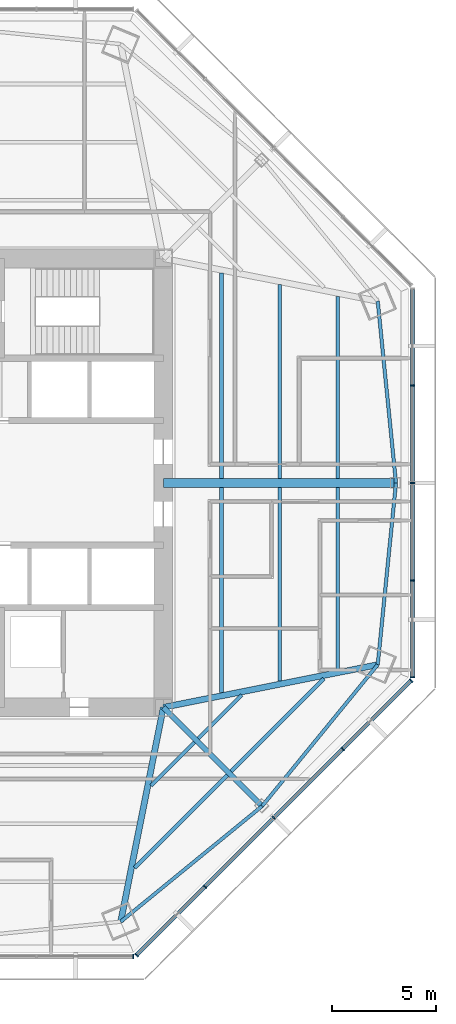
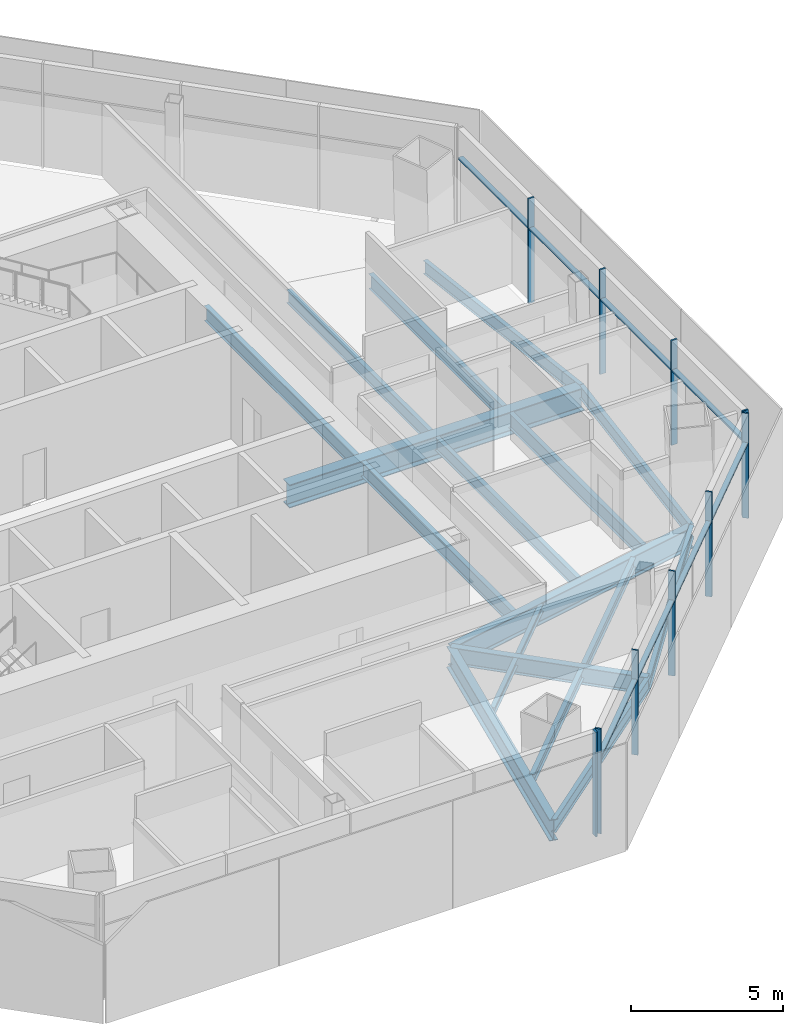
# One storey, part 4 of 15: 18 beams, 18 members, 3 elements without a shape of their own.
"""IFC4 building model written with IfcOpenShell, lengths in metres."""

from ifc_helpers import new_model, si_unit, direction, frame, origin, origin_2d, place, context, subcontext, project, spatial, rectangle, i_section, extrude, source, transform, mapped, material, material_profile, profile_set, type_object, type_shapes, element, aggregate, save


model = new_model("IFC4")

# Units and contexts
model_context = context("Model", 3, precision=1e-05, world=origin(), true_north=direction((0.0, 1.0)))
body_context = subcontext(model_context, "Body", "Model", "MODEL_VIEW")
ifc_project = project(units=[si_unit("LENGTHUNIT", "METRE"), si_unit("AREAUNIT", "SQUARE_METRE"), si_unit("VOLUMEUNIT", "CUBIC_METRE"), si_unit("PLANEANGLEUNIT", "RADIAN"), si_unit("MASSUNIT", "GRAM", prefix="KILO")], contexts=[model_context])

# Site, building, storey
site_placement = place(None, origin())
site = spatial("IfcSite", under=ifc_project, at=site_placement, CompositionType="ELEMENT")
building_placement = place(site_placement, origin())
building = spatial("IfcBuilding", under=site, at=building_placement, Name="Mashrafa Tower", CompositionType="ELEMENT")
storey_placement = place(building_placement, frame((0.0, 0.0, 184.800048828125)))
storey = spatial("IfcBuildingStorey", under=building, at=storey_placement, Name="L42", CompositionType="ELEMENT", Elevation=184.800048828125)

# Beams
ifc_material_1 = material(Name="Steel ASTM A992", Category="steel")
ifc_material_profile_1 = material_profile(ifc_material_1, i_section(OverallWidth=0.164794921875, OverallDepth=0.309814453125, WebThickness=0.005859375, FlangeThickness=0.009765625, FilletRadius=0.007568359375, at=origin_2d()), Name="W12X26")
ifc_profile_set_1 = profile_set([ifc_material_profile_1], Name="Steel ASTM A992")
beam_type_1 = type_object("IfcBeamType", Name="Beam W12X26", PredefinedType="BEAM", material=ifc_profile_set_1)
for number, where, z_axis, x_axis, name in (
    (1, (12.293701171875, -12.473388671875, -0.320068359375), (-0.707147974672, -0.707065585301, 0.0), (0.707065585301, -0.707147974672, 0.0), "Floor beam L42 029"),
    (2, (14.568603515625, -10.1982421875, -0.320068359375), (-0.707065585301, -0.707147974672, 0.0), (0.707147974672, -0.707065585301, 0.0), "Floor beam L42 035"),
):
    element("IfcBeam", number, at=place(storey_placement, frame(where, z_axis=z_axis, x_axis=x_axis)), inside=storey, type_object=beam_type_1, Name=name, PredefinedType="BEAM", context=body_context, shape_type="SweptSolid", body=[
        extrude(i_section(OverallWidth=0.164794921875, OverallDepth=0.309814453125, WebThickness=0.005859375, FlangeThickness=0.009765625, FilletRadius=0.007568359375, at=origin_2d()), origin(), (0.0, 0.0, 1.0), 2.963134765625),
    ])
ifc_material_2 = material(Name="Steel ASTM A992", Category="steel")
ifc_material_profile_2 = material_profile(ifc_material_2, i_section(OverallWidth=0.177734375, OverallDepth=0.406494140625, WebThickness=0.0078125, FlangeThickness=0.012939453125, FilletRadius=0.01025390625, at=origin_2d()), Name="W16X40")
ifc_profile_set_2 = profile_set([ifc_material_profile_2], Name="Steel ASTM A992")
beam_type_2 = type_object("IfcBeamType", Name="Beam W16X40", PredefinedType="BEAM", material=ifc_profile_set_2)
for number, where, z_axis, x_axis, name in (
    (3, (13.877197265625, -14.056640625, -0.3681640625), (-0.707106781187, -0.707106781187, 0.0), (0.707106781187, -0.707106781187, 0.0), "Floor beam L42 033"),
    (4, (18.5234375, -9.410400390625, -0.3681640625), (-0.707106781187, -0.707106781187, 0.0), (0.707106781187, -0.707106781187, 0.0), "Floor beam L42 038"),
):
    element("IfcBeam", number, at=place(storey_placement, frame(where, z_axis=z_axis, x_axis=x_axis)), inside=storey, type_object=beam_type_2, Name=name, PredefinedType="BEAM", context=body_context, shape_type="SweptSolid", body=[
        extrude(i_section(OverallWidth=0.177734375, OverallDepth=0.406494140625, WebThickness=0.0078125, FlangeThickness=0.012939453125, FilletRadius=0.01025390625, at=origin_2d()), origin(), (0.0, 0.0, 1.0), 6.31689453125),
    ])
ifc_material_3 = material(Name="Steel ASTM A992", Category="steel")
ifc_material_profile_3 = material_profile(ifc_material_3, i_section(OverallWidth=0.1650390625, OverallDepth=0.52587890625, WebThickness=0.0087890625, FlangeThickness=0.011474609375, FilletRadius=0.0126953125, at=origin_2d()), Name="W21X44")
ifc_profile_set_3 = profile_set([ifc_material_profile_3], Name="Steel ASTM A992")
beam_type_3 = type_object("IfcBeamType", Name="Beam W21X44", PredefinedType="BEAM", material=ifc_profile_set_3)
for number, where, z_axis, x_axis, name in (
    (5, (16.39599609375, -0.20947265625, -0.427978515625), (0.0, -1.0, 0.0), (1.0, 0.0, 0.0), "Floor beam L42 036"),
    (6, (16.39599609375, 9.536376953125, -0.427978515625), (0.0, -1.0, 0.0), (1.0, 0.0, 0.0), "Floor beam L42 037"),
):
    element("IfcBeam", number, at=place(storey_placement, frame(where, z_axis=z_axis, x_axis=x_axis)), inside=storey, type_object=beam_type_3, Name=name, PredefinedType="BEAM", context=body_context, shape_type="SweptSolid", body=[
        extrude(i_section(OverallWidth=0.1650390625, OverallDepth=0.52587890625, WebThickness=0.0087890625, FlangeThickness=0.011474609375, FilletRadius=0.0126953125, at=origin_2d()), origin(), (0.0, 0.0, 1.0), 9.326904296875),
    ])
for number, where, z_axis, x_axis, name in (
    (7, (8.74560546875, -21.11328125, -0.427978515625), (0.77420723405, 0.632932191269, 0.0), (-0.632932191269, 0.77420723405, 0.0), "Spandrel beam L42 066"),
    (8, (15.55029296875, -15.55029296875, -0.427978515625), (0.632932191269, 0.77420723405, 0.0), (-0.77420723405, 0.632932191269, 0.0), "Spandrel beam L42 068"),
):
    element("IfcBeam", number, at=place(storey_placement, frame(where, z_axis=z_axis, x_axis=x_axis)), inside=storey, type_object=beam_type_3, Name=name, PredefinedType="BEAM", context=body_context, shape_type="SweptSolid", body=[
        extrude(i_section(OverallWidth=0.1650390625, OverallDepth=0.52587890625, WebThickness=0.0087890625, FlangeThickness=0.011474609375, FilletRadius=0.0126953125, at=origin_2d()), origin(), (0.0, 0.0, 1.0), 8.789306640625),
    ])
for number, where, z_axis, x_axis, name in (
    (9, (21.11328125, -8.74560546875, -0.427978515625), (0.099938225951, 0.994993643695, 0.0), (-0.994993643695, 0.099938225951, 0.0), "Spandrel beam L42 070"),
    (10, (21.99169921875, 0.0, -0.427978515625), (-0.099938225951, 0.994993643695, 0.0), (-0.994993643695, -0.099938225951, 0.0), "Spandrel beam L42 072"),
):
    element("IfcBeam", number, at=place(storey_placement, frame(where, z_axis=z_axis, x_axis=x_axis)), inside=storey, type_object=beam_type_3, Name=name, PredefinedType="BEAM", context=body_context, shape_type="SweptSolid", body=[
        extrude(i_section(OverallWidth=0.1650390625, OverallDepth=0.52587890625, WebThickness=0.0087890625, FlangeThickness=0.011474609375, FilletRadius=0.0126953125, at=origin_2d()), origin(), (0.0, 0.0, 1.0), 8.78955078125),
    ])
ifc_material_4 = material(Name="Steel ASTM A992", Category="steel")
ifc_material_profile_4 = material_profile(ifc_material_4, i_section(OverallWidth=0.177978515625, OverallDepth=0.599365234375, WebThickness=0.010009765625, FlangeThickness=0.012939453125, FilletRadius=0.012939453125, at=origin_2d()), Name="W24X55")
ifc_profile_set_4 = profile_set([ifc_material_profile_4], Name="Steel ASTM A992")
beam_type_4 = type_object("IfcBeamType", Name="Beam W24X55", PredefinedType="BEAM", material=ifc_profile_set_4)
for number, where, z_axis, x_axis, name in (
    (11, (13.597900390625, -0.20947265625, -0.46484375), (0.0, -1.0, 0.0), (1.0, 0.0, 0.0), "Floor beam L42 031"),
    (12, (13.597900390625, 10.09375, -0.46484375), (0.0, -1.0, 0.0), (1.0, 0.0, 0.0), "Floor beam L42 032"),
):
    element("IfcBeam", number, at=place(storey_placement, frame(where, z_axis=z_axis, x_axis=x_axis)), inside=storey, type_object=beam_type_4, Name=name, PredefinedType="BEAM", context=body_context, shape_type="SweptSolid", body=[
        extrude(i_section(OverallWidth=0.177978515625, OverallDepth=0.599365234375, WebThickness=0.010009765625, FlangeThickness=0.012939453125, FilletRadius=0.012939453125, at=origin_2d()), origin(), (0.0, 0.0, 1.0), 9.88427734375),
    ])
for number, where, z_axis, x_axis, name in (
    (13, (19.19384765625, -0.20947265625, -0.46484375), (0.0, -1.0, 0.0), (1.0, 0.0, 0.0), "Floor beam L42 039"),
    (14, (19.19384765625, 8.97900390625, -0.46484375), (0.0, -1.0, 0.0), (1.0, 0.0, 0.0), "Floor beam L42 040"),
):
    element("IfcBeam", number, at=place(storey_placement, frame(where, z_axis=z_axis, x_axis=x_axis)), inside=storey, type_object=beam_type_4, Name=name, PredefinedType="BEAM", context=body_context, shape_type="SweptSolid", body=[
        extrude(i_section(OverallWidth=0.177978515625, OverallDepth=0.599365234375, WebThickness=0.010009765625, FlangeThickness=0.012939453125, FilletRadius=0.012939453125, at=origin_2d()), origin(), (0.0, 0.0, 1.0), 8.76953125),
    ])
ifc_material_5 = material(Name="Steel ASTM A992", Category="steel")
ifc_material_profile_5 = material_profile(ifc_material_5, i_section(OverallWidth=0.25390625, OverallDepth=0.683349609375, WebThickness=0.012451171875, FlangeThickness=0.01904296875, FilletRadius=0.01513671875, at=origin_2d()), Name="W27X94")
ifc_profile_set_5 = profile_set([ifc_material_profile_5], Name="Steel ASTM A992")
beam_type_5 = type_object("IfcBeamType", Name="Beam W27X94", PredefinedType="BEAM", material=ifc_profile_set_5)
beam_1_placement = place(storey_placement, frame((10.800048828125, -10.800048828125, -0.506591796875), z_axis=(0.707106781187, -0.707106781187, 0.0), x_axis=(0.707106781187, 0.707106781187, 0.0)))
element("IfcBeam", 15, at=beam_1_placement, inside=storey, type_object=beam_type_5, Name="Radial girder L42 051", PredefinedType="BEAM", context=body_context, shape_type="SweptSolid", body=[
    extrude(i_section(OverallWidth=0.25390625, OverallDepth=0.683349609375, WebThickness=0.012451171875, FlangeThickness=0.01904296875, FilletRadius=0.01513671875, at=origin_2d()), origin(), (0.0, 0.0, 1.0), 6.7177734375),
])
ifc_material_6 = material(Name="Steel ASTM A992", Category="steel")
ifc_material_profile_6 = material_profile(ifc_material_6, i_section(OverallWidth=0.2919921875, OverallDepth=0.8583984375, WebThickness=0.01708984375, FlangeThickness=0.031005859375, FilletRadius=0.017822265625, at=origin_2d()), Name="W33X169")
ifc_profile_set_6 = profile_set([ifc_material_profile_6], Name="Steel ASTM A992")
beam_type_6 = type_object("IfcBeamType", Name="Beam W33X169", PredefinedType="BEAM", material=ifc_profile_set_6)
for number, where, z_axis, x_axis, name in (
    (16, (10.800048828125, -10.800048828125, -0.59423828125), (-0.195366009443, -0.980730402483, 0.0), (0.980730402483, -0.195366009443, 0.0), "Radial girder L42 050"),
    (17, (10.800048828125, -10.800048828125, -0.59423828125), (0.980730402483, 0.195366009443, 0.0), (-0.195366009443, 0.980730402483, 0.0), "Radial girder L42 052"),
):
    element("IfcBeam", number, at=place(storey_placement, frame(where, z_axis=z_axis, x_axis=x_axis)), inside=storey, type_object=beam_type_6, Name=name, PredefinedType="BEAM", context=body_context, shape_type="SweptSolid", body=[
        extrude(i_section(OverallWidth=0.2919921875, OverallDepth=0.8583984375, WebThickness=0.01708984375, FlangeThickness=0.031005859375, FilletRadius=0.017822265625, at=origin_2d()), origin(), (0.0, 0.0, 1.0), 10.515869140625),
    ])
ifc_material_7 = material(Name="Steel ASTM A992", Category="steel")
ifc_material_profile_7 = material_profile(ifc_material_7, i_section(OverallWidth=0.419189453125, OverallDepth=0.927001953125, WebThickness=0.019287109375, FlangeThickness=0.031982421875, FilletRadius=0.020263671875, at=origin_2d()), Name="W36X231")
ifc_profile_set_7 = profile_set([ifc_material_profile_7], Name="Steel ASTM A992")
beam_type_7 = type_object("IfcBeamType", Name="Beam W36X231", PredefinedType="BEAM", material=ifc_profile_set_7)
beam_2_placement = place(storey_placement, frame((10.800048828125, 0.0, -0.628662109375), z_axis=(1.0, 0.0, 0.0), x_axis=(0.0, 1.0, 0.0)))
element("IfcBeam", 18, at=beam_2_placement, inside=storey, type_object=beam_type_7, Name="Radial girder L42 053", PredefinedType="BEAM", context=body_context, shape_type="SweptSolid", body=[
    extrude(i_section(OverallWidth=0.419189453125, OverallDepth=0.927001953125, WebThickness=0.019287109375, FlangeThickness=0.031982421875, FilletRadius=0.020263671875, at=origin_2d()), origin(), (0.0, 0.0, 1.0), 11.191650390625),
])

# Curtain wall, members
ifc_material_8 = material(Name="Unitised aluminium curtain wall", Category="aluminium")
curtain_wall_type = type_object("IfcCurtainWallType", Name="Office curtain wall, zone 2 CW-B 225 deep", PredefinedType="NOTDEFINED", material=ifc_material_8)
curtain_wall_1_placement = place(storey_placement, origin())
curtain_wall_1 = element("IfcCurtainWall", 19, at=curtain_wall_1_placement, inside=storey, type_object=curtain_wall_type, Name="Office curtain wall, zone 2 L42 east", PredefinedType="NOTDEFINED")
ifc_material_9 = material(Name="Extruded aluminium mullion", Category="aluminium")
ifc_material_profile_8 = material_profile(ifc_material_9, rectangle(XDim=0.22509765625, YDim=0.06494140625, at=origin_2d()), Name="Mullion 65x225")
ifc_profile_set_8 = profile_set([ifc_material_profile_8], Name="Extruded aluminium mullion")
member_type_1 = type_object("IfcMemberType", Name="Mullion CW-B 65 x 225", PredefinedType="MULLION", material=ifc_profile_set_8)
shared_shape_1 = source(origin(), body_context, "Body", "SweptSolid", [
    extrude(rectangle(XDim=0.22509765625, YDim=0.06494140625, at=origin_2d()), origin(), (0.0, 0.0, 1.0), 4.199951171875),
])
type_shapes(member_type_1, [shared_shape_1])
member_1_placement = place(storey_placement, frame((22.786865234375, -9.349609375, 0.0), z_axis=(0.0, 0.0, 1.0), x_axis=(-1.0, 0.0, 0.0)))
member_1 = element("IfcMember", 20, at=member_1_placement, type_object=member_type_1, Name="CW-B mullion 1", PredefinedType="MULLION", context=body_context, shape_type="MappedRepresentation", body=[
    mapped(shared_shape_1, transform((0.0, 0.0, 0.0))),
])
member_2_placement = place(storey_placement, frame((22.786865234375, -4.69091796875, 0.0), z_axis=(0.0, 0.0, 1.0), x_axis=(-1.0, 0.0, 0.0)))
member_2 = element("IfcMember", 21, at=member_2_placement, type_object=member_type_1, Name="CW-B mullion 2", PredefinedType="MULLION", context=body_context, shape_type="MappedRepresentation", body=[
    mapped(shared_shape_1, transform((0.0, 0.0, 0.0))),
])
member_3_placement = place(storey_placement, frame((22.786865234375, 0.0, 0.0), z_axis=(0.0, 0.0, 1.0), x_axis=(-1.0, 0.0, 0.0)))
member_3 = element("IfcMember", 22, at=member_3_placement, type_object=member_type_1, Name="CW-B mullion 3", PredefinedType="MULLION", context=body_context, shape_type="MappedRepresentation", body=[
    mapped(shared_shape_1, transform((0.0, 0.0, 0.0))),
])
member_4_placement = place(storey_placement, frame((22.786865234375, 4.69091796875, 0.0), z_axis=(0.0, 0.0, 1.0), x_axis=(-1.0, 0.0, 0.0)))
member_4 = element("IfcMember", 23, at=member_4_placement, type_object=member_type_1, Name="CW-B mullion 4", PredefinedType="MULLION", context=body_context, shape_type="MappedRepresentation", body=[
    mapped(shared_shape_1, transform((0.0, 0.0, 0.0))),
])

# Curtain wall, member
curtain_wall_2_placement = place(storey_placement, origin())
curtain_wall_2 = element("IfcCurtainWall", 24, at=curtain_wall_2_placement, inside=storey, type_object=curtain_wall_type, Name="Office curtain wall, zone 2 L42 south", PredefinedType="NOTDEFINED")
member_5_placement = place(storey_placement, frame((9.349609375, -22.786865234375, 0.0), z_axis=(0.0, 0.0, 1.0), x_axis=(0.0, 1.0, 0.0)))
member_5 = element("IfcMember", 25, at=member_5_placement, type_object=member_type_1, Name="CW-B mullion 5", PredefinedType="MULLION", context=body_context, shape_type="MappedRepresentation", body=[
    mapped(shared_shape_1, transform((0.0, 0.0, 0.0))),
])
aggregate(curtain_wall_2, [member_5])

# Curtain wall, members
curtain_wall_3_placement = place(storey_placement, origin())
curtain_wall_3 = element("IfcCurtainWall", 26, at=curtain_wall_3_placement, inside=storey, type_object=curtain_wall_type, Name="Office curtain wall, zone 2 L42 south-east", PredefinedType="NOTDEFINED")
member_6_placement = place(storey_placement, frame((9.501708984375, -22.723876953125, 0.0), z_axis=(0.0, 0.0, 1.0), x_axis=(-0.707106781187, 0.707106781187, 0.0)))
member_6 = element("IfcMember", 27, at=member_6_placement, type_object=member_type_1, Name="CW-B mullion 1", PredefinedType="MULLION", context=body_context, shape_type="MappedRepresentation", body=[
    mapped(shared_shape_1, transform((0.0, 0.0, 0.0))),
])
member_7_placement = place(storey_placement, frame((12.795654296875, -19.429931640625, 0.0), z_axis=(0.0, 0.0, 1.0), x_axis=(-0.707106781187, 0.707106781187, 0.0)))
member_7 = element("IfcMember", 28, at=member_7_placement, type_object=member_type_1, Name="CW-B mullion 2", PredefinedType="MULLION", context=body_context, shape_type="MappedRepresentation", body=[
    mapped(shared_shape_1, transform((0.0, 0.0, 0.0))),
])
member_8_placement = place(storey_placement, frame((16.11279296875, -16.11279296875, 0.0), z_axis=(0.0, 0.0, 1.0), x_axis=(-0.707106781187, 0.707106781187, 0.0)))
member_8 = element("IfcMember", 29, at=member_8_placement, type_object=member_type_1, Name="CW-B mullion 3", PredefinedType="MULLION", context=body_context, shape_type="MappedRepresentation", body=[
    mapped(shared_shape_1, transform((0.0, 0.0, 0.0))),
])
member_9_placement = place(storey_placement, frame((19.429931640625, -12.795654296875, 0.0), z_axis=(0.0, 0.0, 1.0), x_axis=(-0.707106781187, 0.707106781187, 0.0)))
member_9 = element("IfcMember", 30, at=member_9_placement, type_object=member_type_1, Name="CW-B mullion 4", PredefinedType="MULLION", context=body_context, shape_type="MappedRepresentation", body=[
    mapped(shared_shape_1, transform((0.0, 0.0, 0.0))),
])
member_10_placement = place(storey_placement, frame((22.723876953125, -9.501708984375, 0.0), z_axis=(0.0, 0.0, 1.0), x_axis=(-0.707106781187, 0.707106781187, 0.0)))
member_10 = element("IfcMember", 31, at=member_10_placement, type_object=member_type_1, Name="CW-B mullion 5", PredefinedType="MULLION", context=body_context, shape_type="MappedRepresentation", body=[
    mapped(shared_shape_1, transform((0.0, 0.0, 0.0))),
])

# Member
ifc_material_10 = material(Name="Extruded aluminium transom", Category="aluminium")
ifc_material_profile_9 = material_profile(ifc_material_10, rectangle(XDim=0.179931640625, YDim=0.080078125, at=origin_2d()), Name="Transom 80x180")
ifc_profile_set_9 = profile_set([ifc_material_profile_9], Name="Extruded aluminium transom")
member_type_2 = type_object("IfcMemberType", Name="Transom CW-B 80 x 180", PredefinedType="MULLION", material=ifc_profile_set_9)
shared_shape_2 = source(origin(), body_context, "Body", "SweptSolid", [
    extrude(rectangle(XDim=0.179931640625, YDim=0.080078125, at=origin_2d()), origin(), (0.0, 0.0, 1.0), 4.593505859375),
])
member_11_placement = place(storey_placement, frame((22.786865234375, -9.317138671875, 3.0), z_axis=(0.0, 1.0, 0.0), x_axis=(-1.0, 0.0, 0.0)))
member_11 = element("IfcMember", 32, at=member_11_placement, type_object=member_type_2, Name="CW-B transom 1", PredefinedType="MULLION", context=body_context, shape_type="MappedRepresentation", body=[
    mapped(shared_shape_2, transform((0.0, 0.0, 0.0))),
])

member_12_placement = place(storey_placement, frame((22.786865234375, 4.7236328125, 3.0), z_axis=(0.0, 1.0, 0.0), x_axis=(-1.0, 0.0, 0.0)))
member_12 = element("IfcMember", 33, at=member_12_placement, type_object=member_type_2, Name="CW-B transom 4", PredefinedType="MULLION", context=body_context, shape_type="MappedRepresentation", body=[
    mapped(shared_shape_2, transform((0.0, 0.0, 0.0))),
])

member_13_placement = place(storey_placement, frame((9.524658203125, -22.700927734375, 3.0), z_axis=(0.707106781187, 0.707106781187, 0.0), x_axis=(-0.707106781187, 0.707106781187, 0.0)))
member_13 = element("IfcMember", 34, at=member_13_placement, type_object=member_type_2, Name="CW-B transom 1", PredefinedType="MULLION", context=body_context, shape_type="MappedRepresentation", body=[
    mapped(shared_shape_2, transform((0.0, 0.0, 0.0))),
])

member_14_placement = place(storey_placement, frame((19.452880859375, -12.772705078125, 3.0), z_axis=(0.707106781187, 0.707106781187, 0.0), x_axis=(-0.707106781187, 0.707106781187, 0.0)))
member_14 = element("IfcMember", 35, at=member_14_placement, type_object=member_type_2, Name="CW-B transom 4", PredefinedType="MULLION", context=body_context, shape_type="MappedRepresentation", body=[
    mapped(shared_shape_2, transform((0.0, 0.0, 0.0))),
])

shared_shape_3 = source(origin(), body_context, "Body", "SweptSolid", [
    extrude(rectangle(XDim=0.179931640625, YDim=0.080078125, at=origin_2d()), origin(), (0.0, 0.0, 1.0), 4.6259765625),
])
type_shapes(member_type_2, [shared_shape_2, shared_shape_3])
member_15_placement = place(storey_placement, frame((22.786865234375, -4.658447265625, 3.0), z_axis=(0.0, 1.0, 0.0), x_axis=(-1.0, 0.0, 0.0)))
member_15 = element("IfcMember", 36, at=member_15_placement, type_object=member_type_2, Name="CW-B transom 2", PredefinedType="MULLION", context=body_context, shape_type="MappedRepresentation", body=[
    mapped(shared_shape_3, transform((0.0, 0.0, 0.0))),
])

member_16_placement = place(storey_placement, frame((22.786865234375, 0.032470703125, 3.0), z_axis=(0.0, 1.0, 0.0), x_axis=(-1.0, 0.0, 0.0)))
member_16 = element("IfcMember", 37, at=member_16_placement, type_object=member_type_2, Name="CW-B transom 3", PredefinedType="MULLION", context=body_context, shape_type="MappedRepresentation", body=[
    mapped(shared_shape_3, transform((0.0, 0.0, 0.0))),
])

aggregate(curtain_wall_1, [member_1, member_2, member_3, member_4, member_11, member_15, member_16, member_12])

member_17_placement = place(storey_placement, frame((12.81884765625, -19.406982421875, 3.0), z_axis=(0.707080393159, 0.707133168229, 0.0), x_axis=(-0.707133168229, 0.707080393159, 0.0)))
member_17 = element("IfcMember", 38, at=member_17_placement, type_object=member_type_2, Name="CW-B transom 2", PredefinedType="MULLION", context=body_context, shape_type="MappedRepresentation", body=[
    mapped(shared_shape_3, transform((0.0, 0.0, 0.0))),
])

member_18_placement = place(storey_placement, frame((16.1357421875, -16.08984375, 3.0), z_axis=(0.707133168229, 0.707080393159, 0.0), x_axis=(-0.707080393159, 0.707133168229, 0.0)))
member_18 = element("IfcMember", 39, at=member_18_placement, type_object=member_type_2, Name="CW-B transom 3", PredefinedType="MULLION", context=body_context, shape_type="MappedRepresentation", body=[
    mapped(shared_shape_3, transform((0.0, 0.0, 0.0))),
])

aggregate(curtain_wall_3, [member_6, member_7, member_8, member_9, member_10, member_13, member_17, member_18, member_14])

save(model, "model.ifc")
